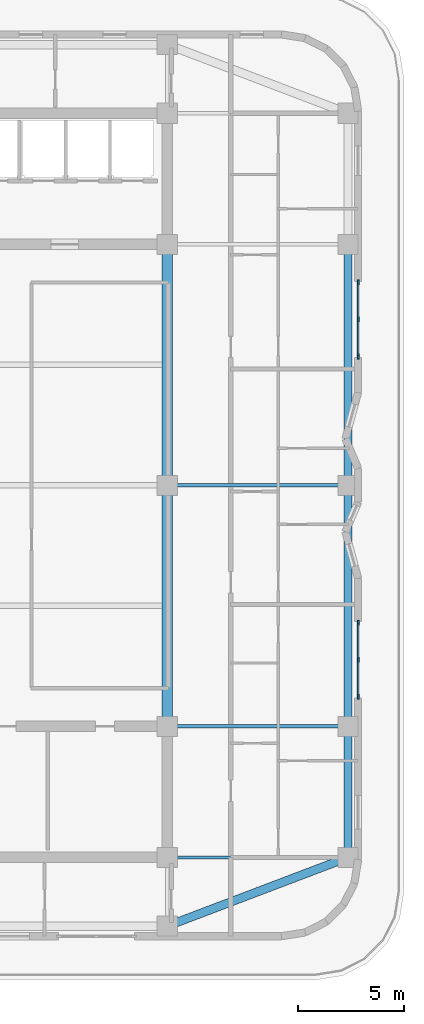
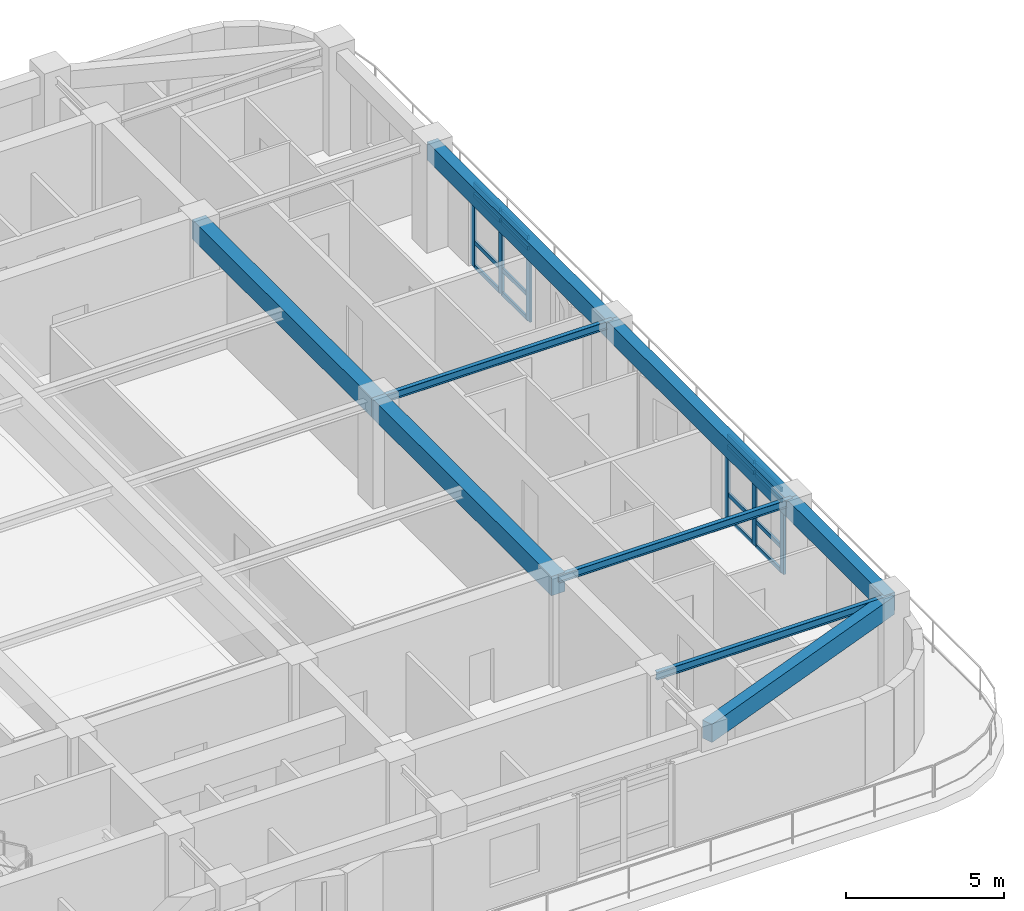
# One storey, part 3 of 14: 22 members, 9 beams, 2 elements without a shape of their own.
"""IFC4 building model written with IfcOpenShell, lengths in metres."""

from ifc_helpers import new_model, si_unit, direction, frame, origin, origin_2d, place, context, subcontext, project, spatial, rectangle, i_section, extrude, material, material_profile, profile_set, type_object, element, aggregate, save


model = new_model("IFC4")

# Units and contexts
model_context = context("Model", 3, precision=1e-05, world=origin(), true_north=direction((0.0, 1.0)))
body_context = subcontext(model_context, "Body", "Model", "MODEL_VIEW")
ifc_project = project(units=[si_unit("LENGTHUNIT", "METRE"), si_unit("AREAUNIT", "SQUARE_METRE"), si_unit("VOLUMEUNIT", "CUBIC_METRE"), si_unit("PLANEANGLEUNIT", "RADIAN"), si_unit("MASSUNIT", "GRAM", prefix="KILO")], contexts=[model_context])

# Site, building, storey
site_placement = place(None, origin())
site = spatial("IfcSite", under=ifc_project, at=site_placement, CompositionType="ELEMENT")
building_placement = place(site_placement, origin())
building = spatial("IfcBuilding", under=site, at=building_placement, Name="Svetorya Sky Lyceum", CompositionType="ELEMENT")
storey_placement = place(building_placement, frame((0.0, 0.0, 143.60009765625)))
storey = spatial("IfcBuildingStorey", under=building, at=storey_placement, Name="L35", CompositionType="ELEMENT", Elevation=143.60009765625)

# Beams
ifc_material_1 = material(Name="Concrete C50/60", Category="concrete")
ifc_material_profile_1 = material_profile(ifc_material_1, rectangle(XDim=0.5, YDim=0.75, at=origin_2d()), Name="RC BEAM 500x750")
ifc_profile_set_1 = profile_set([ifc_material_profile_1], Name="Concrete C50/60")
beam_type_1 = type_object("IfcBeamType", Name="BM-RC-750", PredefinedType="BEAM", material=ifc_profile_set_1)
beam_1_placement = place(storey_placement, frame((52.800048828125, 16.800048828125, 3.56494140625), z_axis=(0.0, 1.0, 0.0), x_axis=(-1.0, 0.0, 0.0)))
element("IfcBeam", 1, at=beam_1_placement, inside=storey, type_object=beam_type_1, Name="L35 Central Bay Primary Girder CG-4A", PredefinedType="BEAM", context=body_context, shape_type="SweptSolid", body=[
    extrude(rectangle(XDim=0.5, YDim=0.75, at=origin_2d()), origin(), (0.0, 0.0, 1.0), 11.39990234375),
])
beam_2_placement = place(storey_placement, frame((52.800048828125, 28.199951171875, 3.56494140625), z_axis=(0.0, 1.0, 0.0), x_axis=(-1.0, 0.0, 0.0)))
element("IfcBeam", 2, at=beam_2_placement, inside=storey, type_object=beam_type_1, Name="L35 Central Bay Primary Girder CG-4B", PredefinedType="BEAM", context=body_context, shape_type="SweptSolid", body=[
    extrude(rectangle(XDim=0.5, YDim=0.75, at=origin_2d()), origin(), (0.0, 0.0, 1.0), 11.400146484375),
])
ifc_material_profile_2 = material_profile(ifc_material_1, rectangle(XDim=0.39990234375, YDim=0.699951171875, at=origin_2d()), Name="RC SPANDREL 400x700")
ifc_profile_set_2 = profile_set([ifc_material_profile_2], Name="Concrete C50/60")
beam_type_2 = type_object("IfcBeamType", Name="BM-SPN-700", PredefinedType="SPANDREL", material=ifc_profile_set_2)
beam_3_placement = place(storey_placement, frame((52.800048828125, 7.35009765625, 3.58984375), z_axis=(0.934747947367, 0.355311518099, 0.0), x_axis=(-0.355311518099, 0.934747947367, 0.0)))
element("IfcBeam", 3, at=beam_3_placement, inside=storey, type_object=beam_type_2, Name="L35 Corner Spandrel 2", PredefinedType="SPANDREL", context=body_context, shape_type="SweptSolid", body=[
    extrude(rectangle(XDim=0.39990234375, YDim=0.699951171875, at=origin_2d()), origin(), (0.0, 0.0, 1.0), 9.14697265625),
])
beam_4_placement = place(storey_placement, frame((61.35009765625, 10.60009765625, 3.58984375), z_axis=(0.0, 1.0, 0.0), x_axis=(-1.0, 0.0, 0.0)))
element("IfcBeam", 4, at=beam_4_placement, inside=storey, type_object=beam_type_2, Name="L35 East Spandrel 1", PredefinedType="SPANDREL", context=body_context, shape_type="SweptSolid", body=[
    extrude(rectangle(XDim=0.39990234375, YDim=0.699951171875, at=origin_2d()), origin(), (0.0, 0.0, 1.0), 6.199951171875),
])
beam_5_placement = place(storey_placement, frame((61.35009765625, 16.800048828125, 3.58984375), z_axis=(0.0, 1.0, 0.0), x_axis=(-1.0, 0.0, 0.0)))
element("IfcBeam", 5, at=beam_5_placement, inside=storey, type_object=beam_type_2, Name="L35 East Spandrel 2", PredefinedType="SPANDREL", context=body_context, shape_type="SweptSolid", body=[
    extrude(rectangle(XDim=0.39990234375, YDim=0.699951171875, at=origin_2d()), origin(), (0.0, 0.0, 1.0), 11.39990234375),
])
beam_6_placement = place(storey_placement, frame((61.35009765625, 28.199951171875, 3.58984375), z_axis=(0.0, 1.0, 0.0), x_axis=(-1.0, 0.0, 0.0)))
element("IfcBeam", 6, at=beam_6_placement, inside=storey, type_object=beam_type_2, Name="L35 East Spandrel 3", PredefinedType="SPANDREL", context=body_context, shape_type="SweptSolid", body=[
    extrude(rectangle(XDim=0.39990234375, YDim=0.699951171875, at=origin_2d()), origin(), (0.0, 0.0, 1.0), 11.400146484375),
])
ifc_material_2 = material(Name="Steel S355", Category="steel")
ifc_material_profile_3 = material_profile(ifc_material_2, i_section(OverallWidth=0.14990234375, OverallDepth=0.299072265625, WebThickness=0.006591796875, FlangeThickness=0.010498046875, at=origin_2d()), Name="GOST 30B2")
ifc_profile_set_3 = profile_set([ifc_material_profile_3], Name="Steel S355")
beam_type_3 = type_object("IfcBeamType", Name="BM-STL-30B2", PredefinedType="JOIST", material=ifc_profile_set_3)
for number, where, z_axis, x_axis, name in (
    (7, (52.800048828125, 10.60009765625, 3.790283203125), (1.0, 0.0, 0.0), (0.0, 1.0, 0.0), "L35 East Wing Floor Joist E1"),
    (8, (52.800048828125, 16.800048828125, 3.790283203125), (1.0, 0.0, 0.0), (0.0, 1.0, 0.0), "L35 East Wing Floor Joist E2"),
    (9, (52.800048828125, 28.199951171875, 3.790283203125), (1.0, 0.0, 0.0), (0.0, 1.0, 0.0), "L35 East Wing Floor Joist E3"),
):
    element("IfcBeam", number, at=place(storey_placement, frame(where, z_axis=z_axis, x_axis=x_axis)), inside=storey, type_object=beam_type_3, Name=name, PredefinedType="JOIST", context=body_context, shape_type="SweptSolid", body=[
        extrude(i_section(OverallWidth=0.14990234375, OverallDepth=0.299072265625, WebThickness=0.006591796875, FlangeThickness=0.010498046875, at=origin_2d()), origin(), (0.0, 0.0, 1.0), 8.550048828125),
    ])

# Curtain wall, members
ifc_material_3 = material(Name="Thermally broken anodized aluminium and triple low-E glass", Category="aluminium")
curtain_wall_type = type_object("IfcCurtainWallType", Name="CW4-SKY-GALL", PredefinedType="NOTDEFINED", material=ifc_material_3)
curtain_wall_1_placement = place(storey_placement, origin())
curtain_wall_1 = element("IfcCurtainWall", 10, at=curtain_wall_1_placement, inside=storey, type_object=curtain_wall_type, Name="L35 Sky-Lobby Panorama Curtain Wall 17", PredefinedType="NOTDEFINED")
ifc_material_4 = material(Name="Thermally broken anodized aluminium EN AW-6060", Category="aluminium")
ifc_material_profile_4 = material_profile(ifc_material_4, rectangle(XDim=0.0849609375, YDim=0.239990234375, at=origin_2d()), Name="ALU MULLION 85x240")
ifc_profile_set_4 = profile_set([ifc_material_profile_4], Name="Thermally broken anodized aluminium EN AW-6060")
member_type_1 = type_object("IfcMemberType", Name="CWM-MUL-240", PredefinedType="MULLION", material=ifc_profile_set_4)
member_1_placement = place(storey_placement, frame((61.830078125, 18.1923828125, 0.0), z_axis=(0.0, 0.0, 1.0), x_axis=(-1.0, 0.0, 0.0)))
member_1 = element("IfcMember", 11, at=member_1_placement, type_object=member_type_1, Name="CW-4 mullion 1", PredefinedType="MULLION", context=body_context, shape_type="SweptSolid", body=[
    extrude(rectangle(XDim=0.0849609375, YDim=0.239990234375, at=origin_2d()), origin(), (0.0, 0.0, 1.0), 3.219970703125),
])
member_2_placement = place(storey_placement, frame((61.830078125, 19.949951171875, 0.0), z_axis=(0.0, 0.0, 1.0), x_axis=(-1.0, 0.0, 0.0)))
member_2 = element("IfcMember", 12, at=member_2_placement, type_object=member_type_1, Name="CW-4 mullion 2", PredefinedType="MULLION", context=body_context, shape_type="SweptSolid", body=[
    extrude(rectangle(XDim=0.0849609375, YDim=0.239990234375, at=origin_2d()), origin(), (0.0, 0.0, 1.0), 3.219970703125),
])
member_3_placement = place(storey_placement, frame((61.830078125, 21.70751953125, 0.0), z_axis=(0.0, 0.0, 1.0), x_axis=(-1.0, 0.0, 0.0)))
member_3 = element("IfcMember", 13, at=member_3_placement, type_object=member_type_1, Name="CW-4 mullion 3", PredefinedType="MULLION", context=body_context, shape_type="SweptSolid", body=[
    extrude(rectangle(XDim=0.0849609375, YDim=0.239990234375, at=origin_2d()), origin(), (0.0, 0.0, 1.0), 3.219970703125),
])

curtain_wall_2_placement = place(storey_placement, origin())
curtain_wall_2 = element("IfcCurtainWall", 14, at=curtain_wall_2_placement, inside=storey, type_object=curtain_wall_type, Name="L35 Sky-Lobby Panorama Curtain Wall 23", PredefinedType="NOTDEFINED")
member_4_placement = place(storey_placement, frame((61.830078125, 34.29248046875, 0.0), z_axis=(0.0, 0.0, 1.0), x_axis=(-1.0, 0.0, 0.0)))
member_4 = element("IfcMember", 15, at=member_4_placement, type_object=member_type_1, Name="CW-4 mullion 1", PredefinedType="MULLION", context=body_context, shape_type="SweptSolid", body=[
    extrude(rectangle(XDim=0.0849609375, YDim=0.239990234375, at=origin_2d()), origin(), (0.0, 0.0, 1.0), 3.219970703125),
])
member_5_placement = place(storey_placement, frame((61.830078125, 36.050048828125, 0.0), z_axis=(0.0, 0.0, 1.0), x_axis=(-1.0, 0.0, 0.0)))
member_5 = element("IfcMember", 16, at=member_5_placement, type_object=member_type_1, Name="CW-4 mullion 2", PredefinedType="MULLION", context=body_context, shape_type="SweptSolid", body=[
    extrude(rectangle(XDim=0.0849609375, YDim=0.239990234375, at=origin_2d()), origin(), (0.0, 0.0, 1.0), 3.219970703125),
])
member_6_placement = place(storey_placement, frame((61.830078125, 37.8076171875, 0.0), z_axis=(0.0, 0.0, 1.0), x_axis=(-1.0, 0.0, 0.0)))
member_6 = element("IfcMember", 17, at=member_6_placement, type_object=member_type_1, Name="CW-4 mullion 3", PredefinedType="MULLION", context=body_context, shape_type="SweptSolid", body=[
    extrude(rectangle(XDim=0.0849609375, YDim=0.239990234375, at=origin_2d()), origin(), (0.0, 0.0, 1.0), 3.219970703125),
])

# Member
ifc_material_profile_5 = material_profile(ifc_material_4, rectangle(XDim=0.074951171875, YDim=0.159912109375, at=origin_2d()), Name="ALU TRANSOM 75x160")
ifc_profile_set_5 = profile_set([ifc_material_profile_5], Name="Thermally broken anodized aluminium EN AW-6060")
member_type_2 = type_object("IfcMemberType", Name="CWM-TRN-160", PredefinedType="USERDEFINED", material=ifc_profile_set_5)
member_7_placement = place(storey_placement, frame((61.830078125, 18.2333984375, 0.037353515625), z_axis=(0.0, 1.0, 0.0), x_axis=(-1.0, 0.0, 0.0)))
member_7 = element("IfcMember", 18, at=member_7_placement, type_object=member_type_2, Name="CW-4 transom 1.1", ObjectType="TRANSOM", PredefinedType="USERDEFINED", context=body_context, shape_type="SweptSolid", body=[
    extrude(rectangle(XDim=0.074951171875, YDim=0.159912109375, at=origin_2d()), origin(), (0.0, 0.0, 1.0), 1.675537109375),
])

member_8_placement = place(storey_placement, frame((61.830078125, 18.2333984375, 0.9658203125), z_axis=(0.0, 1.0, 0.0), x_axis=(-1.0, 0.0, 0.0)))
member_8 = element("IfcMember", 19, at=member_8_placement, type_object=member_type_2, Name="CW-4 transom 1.2", ObjectType="TRANSOM", PredefinedType="USERDEFINED", context=body_context, shape_type="SweptSolid", body=[
    extrude(rectangle(XDim=0.074951171875, YDim=0.159912109375, at=origin_2d()), origin(), (0.0, 0.0, 1.0), 1.675537109375),
])

member_9_placement = place(storey_placement, frame((61.830078125, 18.2333984375, 2.77001953125), z_axis=(0.0, 1.0, 0.0), x_axis=(-1.0, 0.0, 0.0)))
member_9 = element("IfcMember", 20, at=member_9_placement, type_object=member_type_2, Name="CW-4 transom 1.3", ObjectType="TRANSOM", PredefinedType="USERDEFINED", context=body_context, shape_type="SweptSolid", body=[
    extrude(rectangle(XDim=0.074951171875, YDim=0.159912109375, at=origin_2d()), origin(), (0.0, 0.0, 1.0), 1.675537109375),
])

member_10_placement = place(storey_placement, frame((61.830078125, 18.2333984375, 3.182373046875), z_axis=(0.0, 1.0, 0.0), x_axis=(-1.0, 0.0, 0.0)))
member_10 = element("IfcMember", 21, at=member_10_placement, type_object=member_type_2, Name="CW-4 transom 1.4", ObjectType="TRANSOM", PredefinedType="USERDEFINED", context=body_context, shape_type="SweptSolid", body=[
    extrude(rectangle(XDim=0.074951171875, YDim=0.159912109375, at=origin_2d()), origin(), (0.0, 0.0, 1.0), 1.675537109375),
])

member_11_placement = place(storey_placement, frame((61.830078125, 19.990966796875, 0.037353515625), z_axis=(0.0, 1.0, 0.0), x_axis=(-1.0, 0.0, 0.0)))
member_11 = element("IfcMember", 22, at=member_11_placement, type_object=member_type_2, Name="CW-4 transom 2.1", ObjectType="TRANSOM", PredefinedType="USERDEFINED", context=body_context, shape_type="SweptSolid", body=[
    extrude(rectangle(XDim=0.074951171875, YDim=0.159912109375, at=origin_2d()), origin(), (0.0, 0.0, 1.0), 1.675537109375),
])

member_12_placement = place(storey_placement, frame((61.830078125, 19.990966796875, 0.9658203125), z_axis=(0.0, 1.0, 0.0), x_axis=(-1.0, 0.0, 0.0)))
member_12 = element("IfcMember", 23, at=member_12_placement, type_object=member_type_2, Name="CW-4 transom 2.2", ObjectType="TRANSOM", PredefinedType="USERDEFINED", context=body_context, shape_type="SweptSolid", body=[
    extrude(rectangle(XDim=0.074951171875, YDim=0.159912109375, at=origin_2d()), origin(), (0.0, 0.0, 1.0), 1.675537109375),
])

member_13_placement = place(storey_placement, frame((61.830078125, 19.990966796875, 2.77001953125), z_axis=(0.0, 1.0, 0.0), x_axis=(-1.0, 0.0, 0.0)))
member_13 = element("IfcMember", 24, at=member_13_placement, type_object=member_type_2, Name="CW-4 transom 2.3", ObjectType="TRANSOM", PredefinedType="USERDEFINED", context=body_context, shape_type="SweptSolid", body=[
    extrude(rectangle(XDim=0.074951171875, YDim=0.159912109375, at=origin_2d()), origin(), (0.0, 0.0, 1.0), 1.675537109375),
])

member_14_placement = place(storey_placement, frame((61.830078125, 19.990966796875, 3.182373046875), z_axis=(0.0, 1.0, 0.0), x_axis=(-1.0, 0.0, 0.0)))
member_14 = element("IfcMember", 25, at=member_14_placement, type_object=member_type_2, Name="CW-4 transom 2.4", ObjectType="TRANSOM", PredefinedType="USERDEFINED", context=body_context, shape_type="SweptSolid", body=[
    extrude(rectangle(XDim=0.074951171875, YDim=0.159912109375, at=origin_2d()), origin(), (0.0, 0.0, 1.0), 1.675537109375),
])

aggregate(curtain_wall_1, [member_1, member_2, member_3, member_7, member_8, member_9, member_10, member_11, member_12, member_13, member_14])

member_15_placement = place(storey_placement, frame((61.830078125, 34.33349609375, 0.037353515625), z_axis=(0.0, 1.0, 0.0), x_axis=(-1.0, 0.0, 0.0)))
member_15 = element("IfcMember", 26, at=member_15_placement, type_object=member_type_2, Name="CW-4 transom 1.1", ObjectType="TRANSOM", PredefinedType="USERDEFINED", context=body_context, shape_type="SweptSolid", body=[
    extrude(rectangle(XDim=0.074951171875, YDim=0.159912109375, at=origin_2d()), origin(), (0.0, 0.0, 1.0), 1.675537109375),
])

member_16_placement = place(storey_placement, frame((61.830078125, 34.33349609375, 0.9658203125), z_axis=(0.0, 1.0, 0.0), x_axis=(-1.0, 0.0, 0.0)))
member_16 = element("IfcMember", 27, at=member_16_placement, type_object=member_type_2, Name="CW-4 transom 1.2", ObjectType="TRANSOM", PredefinedType="USERDEFINED", context=body_context, shape_type="SweptSolid", body=[
    extrude(rectangle(XDim=0.074951171875, YDim=0.159912109375, at=origin_2d()), origin(), (0.0, 0.0, 1.0), 1.675537109375),
])

member_17_placement = place(storey_placement, frame((61.830078125, 34.33349609375, 2.77001953125), z_axis=(0.0, 1.0, 0.0), x_axis=(-1.0, 0.0, 0.0)))
member_17 = element("IfcMember", 28, at=member_17_placement, type_object=member_type_2, Name="CW-4 transom 1.3", ObjectType="TRANSOM", PredefinedType="USERDEFINED", context=body_context, shape_type="SweptSolid", body=[
    extrude(rectangle(XDim=0.074951171875, YDim=0.159912109375, at=origin_2d()), origin(), (0.0, 0.0, 1.0), 1.675537109375),
])

member_18_placement = place(storey_placement, frame((61.830078125, 34.33349609375, 3.182373046875), z_axis=(0.0, 1.0, 0.0), x_axis=(-1.0, 0.0, 0.0)))
member_18 = element("IfcMember", 29, at=member_18_placement, type_object=member_type_2, Name="CW-4 transom 1.4", ObjectType="TRANSOM", PredefinedType="USERDEFINED", context=body_context, shape_type="SweptSolid", body=[
    extrude(rectangle(XDim=0.074951171875, YDim=0.159912109375, at=origin_2d()), origin(), (0.0, 0.0, 1.0), 1.675537109375),
])

member_19_placement = place(storey_placement, frame((61.830078125, 36.091064453125, 0.037353515625), z_axis=(0.0, 1.0, 0.0), x_axis=(-1.0, 0.0, 0.0)))
member_19 = element("IfcMember", 30, at=member_19_placement, type_object=member_type_2, Name="CW-4 transom 2.1", ObjectType="TRANSOM", PredefinedType="USERDEFINED", context=body_context, shape_type="SweptSolid", body=[
    extrude(rectangle(XDim=0.074951171875, YDim=0.159912109375, at=origin_2d()), origin(), (0.0, 0.0, 1.0), 1.675537109375),
])

member_20_placement = place(storey_placement, frame((61.830078125, 36.091064453125, 0.9658203125), z_axis=(0.0, 1.0, 0.0), x_axis=(-1.0, 0.0, 0.0)))
member_20 = element("IfcMember", 31, at=member_20_placement, type_object=member_type_2, Name="CW-4 transom 2.2", ObjectType="TRANSOM", PredefinedType="USERDEFINED", context=body_context, shape_type="SweptSolid", body=[
    extrude(rectangle(XDim=0.074951171875, YDim=0.159912109375, at=origin_2d()), origin(), (0.0, 0.0, 1.0), 1.675537109375),
])

member_21_placement = place(storey_placement, frame((61.830078125, 36.091064453125, 2.77001953125), z_axis=(0.0, 1.0, 0.0), x_axis=(-1.0, 0.0, 0.0)))
member_21 = element("IfcMember", 32, at=member_21_placement, type_object=member_type_2, Name="CW-4 transom 2.3", ObjectType="TRANSOM", PredefinedType="USERDEFINED", context=body_context, shape_type="SweptSolid", body=[
    extrude(rectangle(XDim=0.074951171875, YDim=0.159912109375, at=origin_2d()), origin(), (0.0, 0.0, 1.0), 1.675537109375),
])

member_22_placement = place(storey_placement, frame((61.830078125, 36.091064453125, 3.182373046875), z_axis=(0.0, 1.0, 0.0), x_axis=(-1.0, 0.0, 0.0)))
member_22 = element("IfcMember", 33, at=member_22_placement, type_object=member_type_2, Name="CW-4 transom 2.4", ObjectType="TRANSOM", PredefinedType="USERDEFINED", context=body_context, shape_type="SweptSolid", body=[
    extrude(rectangle(XDim=0.074951171875, YDim=0.159912109375, at=origin_2d()), origin(), (0.0, 0.0, 1.0), 1.675537109375),
])

aggregate(curtain_wall_2, [member_4, member_5, member_6, member_15, member_16, member_17, member_18, member_19, member_20, member_21, member_22])

save(model, "model.ifc")
